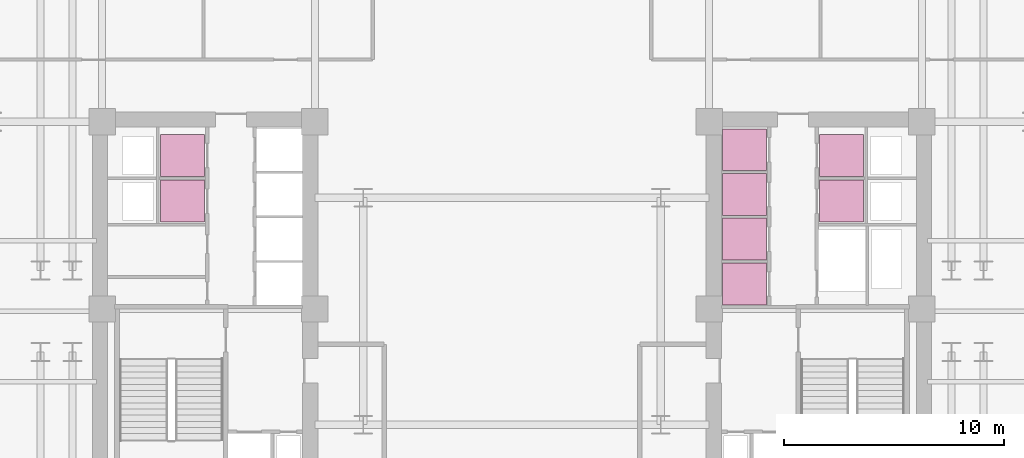
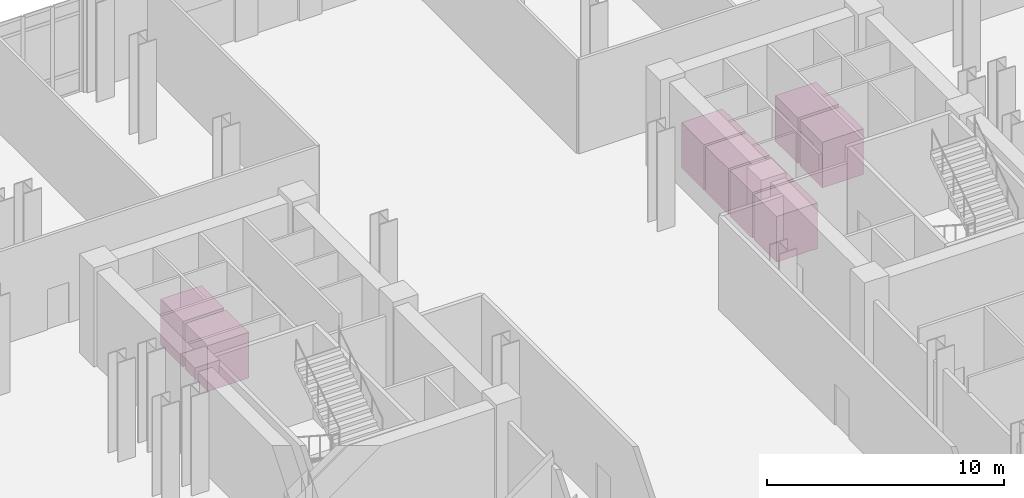
# One storey, part 21 of 21: 8 transport elements.
"""IFC4 building model written with IfcOpenShell, lengths in metres."""

from ifc_helpers import new_model, si_unit, direction, frame, origin, origin_2d, place, context, subcontext, project, spatial, rectangle, extrude, material, type_object, element, save


model = new_model("IFC4")

# Units and contexts
model_context = context("Model", 3, precision=1e-05, world=origin(), true_north=direction((0.0, 1.0)))
body_context = subcontext(model_context, "Body", "Model", "MODEL_VIEW")
ifc_project = project(units=[si_unit("LENGTHUNIT", "METRE"), si_unit("AREAUNIT", "SQUARE_METRE"), si_unit("VOLUMEUNIT", "CUBIC_METRE"), si_unit("PLANEANGLEUNIT", "RADIAN"), si_unit("MASSUNIT", "GRAM", prefix="KILO")], contexts=[model_context])

# Site, building, storey
site_placement = place(None, origin())
site = spatial("IfcSite", under=ifc_project, at=site_placement, CompositionType="ELEMENT")
building_placement = place(site_placement, origin())
building = spatial("IfcBuilding", under=site, at=building_placement, Name="Velakula Bourse", CompositionType="ELEMENT")
storey_placement = place(building_placement, origin())
storey = spatial("IfcBuildingStorey", under=building, at=storey_placement, Name="L00", CompositionType="ELEMENT", Elevation=0.0)

# Transport elements
ifc_material = material(Name="Brushed grade 316 stainless steel", Category="steel")
transport_element_type = type_object("IfcTransportElementType", Name="LFT-PASS-1600", PredefinedType="ELEVATOR", material=ifc_material)
for number, where, z_axis, x_axis, name in (
    (1, (10.550048828125, 1.239990234375, 0.0), (0.0, 0.0, 1.0), (1.0, 0.0, 0.0), "Elevator P5 (Passenger Lift)"),
    (2, (10.550048828125, 3.27001953125, 0.0), (0.0, 0.0, 1.0), (1.0, 0.0, 0.0), "Elevator P6 (Passenger Lift)"),
    (3, (10.550048828125, 5.300048828125, 0.0), (0.0, 0.0, 1.0), (1.0, 0.0, 0.0), "Elevator P7 (Passenger Lift)"),
    (4, (10.550048828125, 7.330078125, 0.0), (0.0, 0.0, 1.0), (1.0, 0.0, 0.0), "Elevator P8 (Passenger Lift)"),
    (5, (-14.949951171875, 4.9951171875, 0.0), (0.0, 0.0, 1.0), (1.0, 0.0, 0.0), "Elevator P9 (Passenger Lift)"),
    (6, (-14.949951171875, 7.06494140625, 0.0), (0.0, 0.0, 1.0), (1.0, 0.0, 0.0), "Elevator P10 (Passenger Lift)"),
    (7, (14.949951171875, 4.9951171875, 0.0), (0.0, 0.0, 1.0), (1.0, 0.0, 0.0), "Elevator P11 (Passenger Lift)"),
    (8, (14.949951171875, 7.06494140625, 0.0), (0.0, 0.0, 1.0), (1.0, 0.0, 0.0), "Elevator P12 (Passenger Lift)"),
):
    element("IfcTransportElement", number, at=place(storey_placement, frame(where, z_axis=z_axis, x_axis=x_axis)), inside=storey, type_object=transport_element_type, Name=name, PredefinedType="ELEVATOR", context=body_context, shape_type="SweptSolid", body=[
        extrude(rectangle(XDim=2.0, YDim=1.89990234375, at=origin_2d()), origin(), (0.0, 0.0, 1.0), 2.35009765625),
    ])

save(model, "model.ifc")
